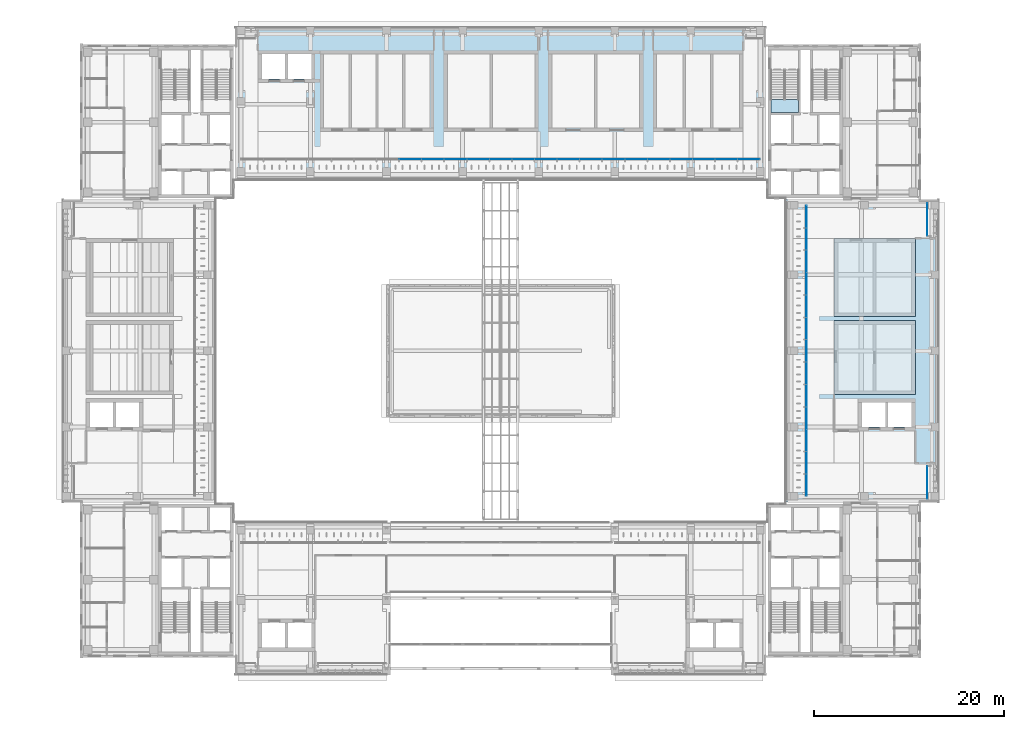
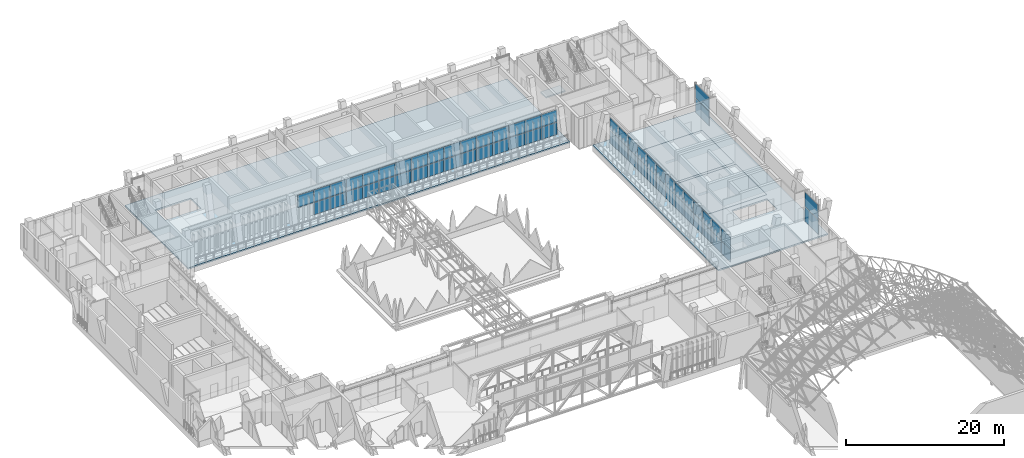
# One storey, part 93 of 141: 61 plates, 5 slabs, 5 elements without a shape of their own.
"""IFC4 building model written with IfcOpenShell, lengths in metres."""

from ifc_helpers import new_model, si_unit, direction, frame, origin, origin_2d, place, context, subcontext, project, spatial, polyline, rectangle, outline, extrude, material, layer, layer_set, type_object, element, aggregate, save


model = new_model("IFC4")

# Units and contexts
model_context = context("Model", 3, precision=1e-05, world=origin(), true_north=direction((0.0, 1.0)))
body_context = subcontext(model_context, "Body", "Model", "MODEL_VIEW")
ifc_project = project(units=[si_unit("LENGTHUNIT", "METRE"), si_unit("AREAUNIT", "SQUARE_METRE"), si_unit("VOLUMEUNIT", "CUBIC_METRE"), si_unit("PLANEANGLEUNIT", "RADIAN"), si_unit("MASSUNIT", "GRAM", prefix="KILO")], contexts=[model_context])

# Site, building, storey
site_placement = place(None, origin())
site = spatial("IfcSite", under=ifc_project, at=site_placement, CompositionType="ELEMENT")
building_placement = place(site_placement, origin())
building = spatial("IfcBuilding", under=site, at=building_placement, Name="Lantern Court Media Centre", CompositionType="ELEMENT")
storey_placement = place(building_placement, frame((0.0, 0.0, 9.60009765625)))
storey = spatial("IfcBuildingStorey", under=building, at=storey_placement, Name="L02", CompositionType="ELEMENT", Elevation=9.60009765625)

# Curtain wall, plates
ifc_material_1 = material(Name="Curtain wall bay 2400")
curtain_wall_type_1 = type_object("IfcCurtainWallType", Name="Curtain wall bay 2400", PredefinedType="NOTDEFINED", material=ifc_material_1)
curtain_wall_1_placement = place(storey_placement, origin())
curtain_wall_1 = element("IfcCurtainWall", 1, at=curtain_wall_1_placement, inside=storey, type_object=curtain_wall_type_1, Name="Curtain wall N inner L02", PredefinedType="NOTDEFINED")
ifc_material_2 = material(Name="Low-iron double glazed unit glass", Category="glass")
ifc_layer_1 = layer(ifc_material_2, 0.02392578125)
ifc_layer_set_1 = layer_set([ifc_layer_1], Name="Low-iron double glazed unit glass")
plate_type_1 = type_object("IfcPlateType", Name="Curtain wall glazing unit 24", PredefinedType="CURTAIN_PANEL", material=ifc_layer_set_1)
plate_1_placement = place(storey_placement, frame((42.50439453125, 100.14990234375, 2.0), z_axis=(0.0, 0.0, 1.0), x_axis=(1.0, 0.0, 0.0)))
plate_1 = element("IfcPlate", 2, at=plate_1_placement, type_object=plate_type_1, Name="CW2 panel 8.2", PredefinedType="CURTAIN_PANEL", context=body_context, shape_type="SweptSolid", body=[
    extrude(rectangle(XDim=2.323974609375, YDim=0.02392578125, at=origin_2d()), origin(), (0.0, 0.0, 1.0), 1.89990234375),
])
plate_2_placement = place(storey_placement, frame((44.878173828125, 100.14990234375, 0.050048828125), z_axis=(0.0, 0.0, 1.0), x_axis=(1.0, 0.0, 0.0)))
plate_2 = element("IfcPlate", 3, at=plate_2_placement, type_object=plate_type_1, Name="CW2 panel 9.1", PredefinedType="CURTAIN_PANEL", context=body_context, shape_type="SweptSolid", body=[
    extrude(rectangle(XDim=2.323974609375, YDim=0.02392578125, at=origin_2d()), origin(), (0.0, 0.0, 1.0), 1.89990234375),
])
plate_3_placement = place(storey_placement, frame((44.878173828125, 100.14990234375, 2.0), z_axis=(0.0, 0.0, 1.0), x_axis=(1.0, 0.0, 0.0)))
plate_3 = element("IfcPlate", 4, at=plate_3_placement, type_object=plate_type_1, Name="CW2 panel 9.2", PredefinedType="CURTAIN_PANEL", context=body_context, shape_type="SweptSolid", body=[
    extrude(rectangle(XDim=2.323974609375, YDim=0.02392578125, at=origin_2d()), origin(), (0.0, 0.0, 1.0), 1.89990234375),
])
plate_4_placement = place(storey_placement, frame((47.252197265625, 100.14990234375, 0.050048828125), z_axis=(0.0, 0.0, 1.0), x_axis=(1.0, 0.0, 0.0)))
plate_4 = element("IfcPlate", 5, at=plate_4_placement, type_object=plate_type_1, Name="CW2 panel 10.1", PredefinedType="CURTAIN_PANEL", context=body_context, shape_type="SweptSolid", body=[
    extrude(rectangle(XDim=2.323974609375, YDim=0.02392578125, at=origin_2d()), origin(), (0.0, 0.0, 1.0), 1.89990234375),
])
plate_5_placement = place(storey_placement, frame((47.252197265625, 100.14990234375, 2.0), z_axis=(0.0, 0.0, 1.0), x_axis=(1.0, 0.0, 0.0)))
plate_5 = element("IfcPlate", 6, at=plate_5_placement, type_object=plate_type_1, Name="CW2 panel 10.2", PredefinedType="CURTAIN_PANEL", context=body_context, shape_type="SweptSolid", body=[
    extrude(rectangle(XDim=2.323974609375, YDim=0.02392578125, at=origin_2d()), origin(), (0.0, 0.0, 1.0), 1.89990234375),
])
plate_6_placement = place(storey_placement, frame((49.6259765625, 100.14990234375, 0.050048828125), z_axis=(0.0, 0.0, 1.0), x_axis=(1.0, 0.0, 0.0)))
plate_6 = element("IfcPlate", 7, at=plate_6_placement, type_object=plate_type_1, Name="CW2 panel 11.1", PredefinedType="CURTAIN_PANEL", context=body_context, shape_type="SweptSolid", body=[
    extrude(rectangle(XDim=2.323974609375, YDim=0.02392578125, at=origin_2d()), origin(), (0.0, 0.0, 1.0), 1.89990234375),
])
plate_7_placement = place(storey_placement, frame((49.6259765625, 100.14990234375, 2.0), z_axis=(0.0, 0.0, 1.0), x_axis=(1.0, 0.0, 0.0)))
plate_7 = element("IfcPlate", 8, at=plate_7_placement, type_object=plate_type_1, Name="CW2 panel 11.2", PredefinedType="CURTAIN_PANEL", context=body_context, shape_type="SweptSolid", body=[
    extrude(rectangle(XDim=2.323974609375, YDim=0.02392578125, at=origin_2d()), origin(), (0.0, 0.0, 1.0), 1.89990234375),
])
plate_8_placement = place(storey_placement, frame((52.0, 100.14990234375, 0.050048828125), z_axis=(0.0, 0.0, 1.0), x_axis=(1.0, 0.0, 0.0)))
plate_8 = element("IfcPlate", 9, at=plate_8_placement, type_object=plate_type_1, Name="CW2 panel 12.1", PredefinedType="CURTAIN_PANEL", context=body_context, shape_type="SweptSolid", body=[
    extrude(rectangle(XDim=2.323974609375, YDim=0.02392578125, at=origin_2d()), origin(), (0.0, 0.0, 1.0), 1.89990234375),
])
plate_9_placement = place(storey_placement, frame((52.0, 100.14990234375, 2.0), z_axis=(0.0, 0.0, 1.0), x_axis=(1.0, 0.0, 0.0)))
plate_9 = element("IfcPlate", 10, at=plate_9_placement, type_object=plate_type_1, Name="CW2 panel 12.2", PredefinedType="CURTAIN_PANEL", context=body_context, shape_type="SweptSolid", body=[
    extrude(rectangle(XDim=2.323974609375, YDim=0.02392578125, at=origin_2d()), origin(), (0.0, 0.0, 1.0), 1.89990234375),
])
plate_10_placement = place(storey_placement, frame((54.3740234375, 100.14990234375, 0.050048828125), z_axis=(0.0, 0.0, 1.0), x_axis=(1.0, 0.0, 0.0)))
plate_10 = element("IfcPlate", 11, at=plate_10_placement, type_object=plate_type_1, Name="CW2 panel 13.1", PredefinedType="CURTAIN_PANEL", context=body_context, shape_type="SweptSolid", body=[
    extrude(rectangle(XDim=2.323974609375, YDim=0.02392578125, at=origin_2d()), origin(), (0.0, 0.0, 1.0), 1.89990234375),
])
plate_11_placement = place(storey_placement, frame((54.3740234375, 100.14990234375, 2.0), z_axis=(0.0, 0.0, 1.0), x_axis=(1.0, 0.0, 0.0)))
plate_11 = element("IfcPlate", 12, at=plate_11_placement, type_object=plate_type_1, Name="CW2 panel 13.2", PredefinedType="CURTAIN_PANEL", context=body_context, shape_type="SweptSolid", body=[
    extrude(rectangle(XDim=2.323974609375, YDim=0.02392578125, at=origin_2d()), origin(), (0.0, 0.0, 1.0), 1.89990234375),
])
plate_12_placement = place(storey_placement, frame((56.747802734375, 100.14990234375, 0.050048828125), z_axis=(0.0, 0.0, 1.0), x_axis=(1.0, 0.0, 0.0)))
plate_12 = element("IfcPlate", 13, at=plate_12_placement, type_object=plate_type_1, Name="CW2 panel 14.1", PredefinedType="CURTAIN_PANEL", context=body_context, shape_type="SweptSolid", body=[
    extrude(rectangle(XDim=2.323974609375, YDim=0.02392578125, at=origin_2d()), origin(), (0.0, 0.0, 1.0), 1.89990234375),
])
plate_13_placement = place(storey_placement, frame((56.747802734375, 100.14990234375, 2.0), z_axis=(0.0, 0.0, 1.0), x_axis=(1.0, 0.0, 0.0)))
plate_13 = element("IfcPlate", 14, at=plate_13_placement, type_object=plate_type_1, Name="CW2 panel 14.2", PredefinedType="CURTAIN_PANEL", context=body_context, shape_type="SweptSolid", body=[
    extrude(rectangle(XDim=2.323974609375, YDim=0.02392578125, at=origin_2d()), origin(), (0.0, 0.0, 1.0), 1.89990234375),
])
plate_14_placement = place(storey_placement, frame((59.121826171875, 100.14990234375, 0.050048828125), z_axis=(0.0, 0.0, 1.0), x_axis=(1.0, 0.0, 0.0)))
plate_14 = element("IfcPlate", 15, at=plate_14_placement, type_object=plate_type_1, Name="CW2 panel 15.1", PredefinedType="CURTAIN_PANEL", context=body_context, shape_type="SweptSolid", body=[
    extrude(rectangle(XDim=2.323974609375, YDim=0.02392578125, at=origin_2d()), origin(), (0.0, 0.0, 1.0), 1.89990234375),
])
plate_15_placement = place(storey_placement, frame((59.121826171875, 100.14990234375, 2.0), z_axis=(0.0, 0.0, 1.0), x_axis=(1.0, 0.0, 0.0)))
plate_15 = element("IfcPlate", 16, at=plate_15_placement, type_object=plate_type_1, Name="CW2 panel 15.2", PredefinedType="CURTAIN_PANEL", context=body_context, shape_type="SweptSolid", body=[
    extrude(rectangle(XDim=2.323974609375, YDim=0.02392578125, at=origin_2d()), origin(), (0.0, 0.0, 1.0), 1.89990234375),
])
plate_16_placement = place(storey_placement, frame((61.49560546875, 100.14990234375, 0.050048828125), z_axis=(0.0, 0.0, 1.0), x_axis=(1.0, 0.0, 0.0)))
plate_16 = element("IfcPlate", 17, at=plate_16_placement, type_object=plate_type_1, Name="CW2 panel 16.1", PredefinedType="CURTAIN_PANEL", context=body_context, shape_type="SweptSolid", body=[
    extrude(rectangle(XDim=2.323974609375, YDim=0.02392578125, at=origin_2d()), origin(), (0.0, 0.0, 1.0), 1.89990234375),
])
plate_17_placement = place(storey_placement, frame((61.49560546875, 100.14990234375, 2.0), z_axis=(0.0, 0.0, 1.0), x_axis=(1.0, 0.0, 0.0)))
plate_17 = element("IfcPlate", 18, at=plate_17_placement, type_object=plate_type_1, Name="CW2 panel 16.2", PredefinedType="CURTAIN_PANEL", context=body_context, shape_type="SweptSolid", body=[
    extrude(rectangle(XDim=2.323974609375, YDim=0.02392578125, at=origin_2d()), origin(), (0.0, 0.0, 1.0), 1.89990234375),
])
plate_18_placement = place(storey_placement, frame((63.86962890625, 100.14990234375, 0.050048828125), z_axis=(0.0, 0.0, 1.0), x_axis=(1.0, 0.0, 0.0)))
plate_18 = element("IfcPlate", 19, at=plate_18_placement, type_object=plate_type_1, Name="CW2 panel 17.1", PredefinedType="CURTAIN_PANEL", context=body_context, shape_type="SweptSolid", body=[
    extrude(rectangle(XDim=2.323974609375, YDim=0.02392578125, at=origin_2d()), origin(), (0.0, 0.0, 1.0), 1.89990234375),
])
plate_19_placement = place(storey_placement, frame((63.86962890625, 100.14990234375, 2.0), z_axis=(0.0, 0.0, 1.0), x_axis=(1.0, 0.0, 0.0)))
plate_19 = element("IfcPlate", 20, at=plate_19_placement, type_object=plate_type_1, Name="CW2 panel 17.2", PredefinedType="CURTAIN_PANEL", context=body_context, shape_type="SweptSolid", body=[
    extrude(rectangle(XDim=2.323974609375, YDim=0.02392578125, at=origin_2d()), origin(), (0.0, 0.0, 1.0), 1.89990234375),
])
plate_20_placement = place(storey_placement, frame((66.243408203125, 100.14990234375, 0.050048828125), z_axis=(0.0, 0.0, 1.0), x_axis=(1.0, 0.0, 0.0)))
plate_20 = element("IfcPlate", 21, at=plate_20_placement, type_object=plate_type_1, Name="CW2 panel 18.1", PredefinedType="CURTAIN_PANEL", context=body_context, shape_type="SweptSolid", body=[
    extrude(rectangle(XDim=2.323974609375, YDim=0.02392578125, at=origin_2d()), origin(), (0.0, 0.0, 1.0), 1.89990234375),
])
plate_21_placement = place(storey_placement, frame((66.243408203125, 100.14990234375, 2.0), z_axis=(0.0, 0.0, 1.0), x_axis=(1.0, 0.0, 0.0)))
plate_21 = element("IfcPlate", 22, at=plate_21_placement, type_object=plate_type_1, Name="CW2 panel 18.2", PredefinedType="CURTAIN_PANEL", context=body_context, shape_type="SweptSolid", body=[
    extrude(rectangle(XDim=2.323974609375, YDim=0.02392578125, at=origin_2d()), origin(), (0.0, 0.0, 1.0), 1.89990234375),
])
plate_22_placement = place(storey_placement, frame((68.617431640625, 100.14990234375, 0.050048828125), z_axis=(0.0, 0.0, 1.0), x_axis=(1.0, 0.0, 0.0)))
plate_22 = element("IfcPlate", 23, at=plate_22_placement, type_object=plate_type_1, Name="CW2 panel 19.1", PredefinedType="CURTAIN_PANEL", context=body_context, shape_type="SweptSolid", body=[
    extrude(rectangle(XDim=2.323974609375, YDim=0.02392578125, at=origin_2d()), origin(), (0.0, 0.0, 1.0), 1.89990234375),
])
plate_23_placement = place(storey_placement, frame((68.617431640625, 100.14990234375, 2.0), z_axis=(0.0, 0.0, 1.0), x_axis=(1.0, 0.0, 0.0)))
plate_23 = element("IfcPlate", 24, at=plate_23_placement, type_object=plate_type_1, Name="CW2 panel 19.2", PredefinedType="CURTAIN_PANEL", context=body_context, shape_type="SweptSolid", body=[
    extrude(rectangle(XDim=2.323974609375, YDim=0.02392578125, at=origin_2d()), origin(), (0.0, 0.0, 1.0), 1.89990234375),
])
plate_24_placement = place(storey_placement, frame((70.9912109375, 100.14990234375, 0.050048828125), z_axis=(0.0, 0.0, 1.0), x_axis=(1.0, 0.0, 0.0)))
plate_24 = element("IfcPlate", 25, at=plate_24_placement, type_object=plate_type_1, Name="CW2 panel 20.1", PredefinedType="CURTAIN_PANEL", context=body_context, shape_type="SweptSolid", body=[
    extrude(rectangle(XDim=2.323974609375, YDim=0.02392578125, at=origin_2d()), origin(), (0.0, 0.0, 1.0), 1.89990234375),
])
plate_25_placement = place(storey_placement, frame((70.9912109375, 100.14990234375, 2.0), z_axis=(0.0, 0.0, 1.0), x_axis=(1.0, 0.0, 0.0)))
plate_25 = element("IfcPlate", 26, at=plate_25_placement, type_object=plate_type_1, Name="CW2 panel 20.2", PredefinedType="CURTAIN_PANEL", context=body_context, shape_type="SweptSolid", body=[
    extrude(rectangle(XDim=2.323974609375, YDim=0.02392578125, at=origin_2d()), origin(), (0.0, 0.0, 1.0), 1.89990234375),
])
plate_26_placement = place(storey_placement, frame((73.365234375, 100.14990234375, 0.050048828125), z_axis=(0.0, 0.0, 1.0), x_axis=(1.0, 0.0, 0.0)))
plate_26 = element("IfcPlate", 27, at=plate_26_placement, type_object=plate_type_1, Name="CW2 panel 21.1", PredefinedType="CURTAIN_PANEL", context=body_context, shape_type="SweptSolid", body=[
    extrude(rectangle(XDim=2.323974609375, YDim=0.02392578125, at=origin_2d()), origin(), (0.0, 0.0, 1.0), 1.89990234375),
])
plate_27_placement = place(storey_placement, frame((73.365234375, 100.14990234375, 2.0), z_axis=(0.0, 0.0, 1.0), x_axis=(1.0, 0.0, 0.0)))
plate_27 = element("IfcPlate", 28, at=plate_27_placement, type_object=plate_type_1, Name="CW2 panel 21.2", PredefinedType="CURTAIN_PANEL", context=body_context, shape_type="SweptSolid", body=[
    extrude(rectangle(XDim=2.323974609375, YDim=0.02392578125, at=origin_2d()), origin(), (0.0, 0.0, 1.0), 1.89990234375),
])
plate_28_placement = place(storey_placement, frame((75.739013671875, 100.14990234375, 0.050048828125), z_axis=(0.0, 0.0, 1.0), x_axis=(1.0, 0.0, 0.0)))
plate_28 = element("IfcPlate", 29, at=plate_28_placement, type_object=plate_type_1, Name="CW2 panel 22.1", PredefinedType="CURTAIN_PANEL", context=body_context, shape_type="SweptSolid", body=[
    extrude(rectangle(XDim=2.323974609375, YDim=0.02392578125, at=origin_2d()), origin(), (0.0, 0.0, 1.0), 1.89990234375),
])
plate_29_placement = place(storey_placement, frame((75.739013671875, 100.14990234375, 2.0), z_axis=(0.0, 0.0, 1.0), x_axis=(1.0, 0.0, 0.0)))
plate_29 = element("IfcPlate", 30, at=plate_29_placement, type_object=plate_type_1, Name="CW2 panel 22.2", PredefinedType="CURTAIN_PANEL", context=body_context, shape_type="SweptSolid", body=[
    extrude(rectangle(XDim=2.323974609375, YDim=0.02392578125, at=origin_2d()), origin(), (0.0, 0.0, 1.0), 1.89990234375),
])
plate_30_placement = place(storey_placement, frame((78.1005859375, 100.14990234375, 0.050048828125), z_axis=(0.0, 0.0, 1.0), x_axis=(1.0, 0.0, 0.0)))
plate_30 = element("IfcPlate", 31, at=plate_30_placement, type_object=plate_type_1, Name="CW2 panel 23.1", PredefinedType="CURTAIN_PANEL", context=body_context, shape_type="SweptSolid", body=[
    extrude(rectangle(XDim=2.298828125, YDim=0.02392578125, at=origin_2d()), origin(), (0.0, 0.0, 1.0), 1.89990234375),
])
plate_31_placement = place(storey_placement, frame((78.1005859375, 100.14990234375, 2.0), z_axis=(0.0, 0.0, 1.0), x_axis=(1.0, 0.0, 0.0)))
plate_31 = element("IfcPlate", 32, at=plate_31_placement, type_object=plate_type_1, Name="CW2 panel 23.2", PredefinedType="CURTAIN_PANEL", context=body_context, shape_type="SweptSolid", body=[
    extrude(rectangle(XDim=2.298828125, YDim=0.02392578125, at=origin_2d()), origin(), (0.0, 0.0, 1.0), 1.89990234375),
])
aggregate(curtain_wall_1, [plate_1, plate_2, plate_3, plate_4, plate_5, plate_6, plate_7, plate_8, plate_9, plate_10, plate_11, plate_12, plate_13, plate_14, plate_15, plate_16, plate_17, plate_18, plate_19, plate_20, plate_21, plate_22, plate_23, plate_24, plate_25, plate_26, plate_27, plate_28, plate_29, plate_30, plate_31])

curtain_wall_2_placement = place(storey_placement, origin())
curtain_wall_2 = element("IfcCurtainWall", 33, at=curtain_wall_2_placement, inside=storey, type_object=curtain_wall_type_1, Name="Curtain wall E inner L02", PredefinedType="NOTDEFINED")
plate_32_placement = place(storey_placement, frame((84.14990234375, 65.889404296875, 0.050048828125), z_axis=(0.0, 0.0, 1.0), x_axis=(0.0, 1.0, 0.0)))
plate_32 = element("IfcPlate", 34, at=plate_32_placement, type_object=plate_type_1, Name="CW2 panel 1.1", PredefinedType="CURTAIN_PANEL", context=body_context, shape_type="SweptSolid", body=[
    extrude(rectangle(XDim=2.27880859375, YDim=0.02392578125, at=origin_2d()), origin(), (0.0, 0.0, 1.0), 1.89990234375),
])
plate_33_placement = place(storey_placement, frame((84.14990234375, 65.889404296875, 2.0), z_axis=(0.0, 0.0, 1.0), x_axis=(0.0, 1.0, 0.0)))
plate_33 = element("IfcPlate", 35, at=plate_33_placement, type_object=plate_type_1, Name="CW2 panel 1.2", PredefinedType="CURTAIN_PANEL", context=body_context, shape_type="SweptSolid", body=[
    extrude(rectangle(XDim=2.27880859375, YDim=0.02392578125, at=origin_2d()), origin(), (0.0, 0.0, 1.0), 1.89990234375),
])
plate_34_placement = place(storey_placement, frame((84.14990234375, 68.230712890625, 0.050048828125), z_axis=(0.0, 0.0, 1.0), x_axis=(0.0, 1.0, 0.0)))
plate_34 = element("IfcPlate", 36, at=plate_34_placement, type_object=plate_type_1, Name="CW2 panel 2.1", PredefinedType="CURTAIN_PANEL", context=body_context, shape_type="SweptSolid", body=[
    extrude(rectangle(XDim=2.303955078125, YDim=0.02392578125, at=origin_2d()), origin(), (0.0, 0.0, 1.0), 1.89990234375),
])
plate_35_placement = place(storey_placement, frame((84.14990234375, 68.230712890625, 2.0), z_axis=(0.0, 0.0, 1.0), x_axis=(0.0, 1.0, 0.0)))
plate_35 = element("IfcPlate", 37, at=plate_35_placement, type_object=plate_type_1, Name="CW2 panel 2.2", PredefinedType="CURTAIN_PANEL", context=body_context, shape_type="SweptSolid", body=[
    extrude(rectangle(XDim=2.303955078125, YDim=0.02392578125, at=origin_2d()), origin(), (0.0, 0.0, 1.0), 1.89990234375),
])
plate_36_placement = place(storey_placement, frame((84.14990234375, 70.584716796875, 0.050048828125), z_axis=(0.0, 0.0, 1.0), x_axis=(0.0, 1.0, 0.0)))
plate_36 = element("IfcPlate", 38, at=plate_36_placement, type_object=plate_type_1, Name="CW2 panel 3.1", PredefinedType="CURTAIN_PANEL", context=body_context, shape_type="SweptSolid", body=[
    extrude(rectangle(XDim=2.303955078125, YDim=0.02392578125, at=origin_2d()), origin(), (0.0, 0.0, 1.0), 1.89990234375),
])
plate_37_placement = place(storey_placement, frame((84.14990234375, 70.584716796875, 2.0), z_axis=(0.0, 0.0, 1.0), x_axis=(0.0, 1.0, 0.0)))
plate_37 = element("IfcPlate", 39, at=plate_37_placement, type_object=plate_type_1, Name="CW2 panel 3.2", PredefinedType="CURTAIN_PANEL", context=body_context, shape_type="SweptSolid", body=[
    extrude(rectangle(XDim=2.303955078125, YDim=0.02392578125, at=origin_2d()), origin(), (0.0, 0.0, 1.0), 1.89990234375),
])
plate_38_placement = place(storey_placement, frame((84.14990234375, 72.9384765625, 0.050048828125), z_axis=(0.0, 0.0, 1.0), x_axis=(0.0, 1.0, 0.0)))
plate_38 = element("IfcPlate", 40, at=plate_38_placement, type_object=plate_type_1, Name="CW2 panel 4.1", PredefinedType="CURTAIN_PANEL", context=body_context, shape_type="SweptSolid", body=[
    extrude(rectangle(XDim=2.303955078125, YDim=0.02392578125, at=origin_2d()), origin(), (0.0, 0.0, 1.0), 1.89990234375),
])
plate_39_placement = place(storey_placement, frame((84.14990234375, 72.9384765625, 2.0), z_axis=(0.0, 0.0, 1.0), x_axis=(0.0, 1.0, 0.0)))
plate_39 = element("IfcPlate", 41, at=plate_39_placement, type_object=plate_type_1, Name="CW2 panel 4.2", PredefinedType="CURTAIN_PANEL", context=body_context, shape_type="SweptSolid", body=[
    extrude(rectangle(XDim=2.303955078125, YDim=0.02392578125, at=origin_2d()), origin(), (0.0, 0.0, 1.0), 1.89990234375),
])
plate_40_placement = place(storey_placement, frame((84.14990234375, 75.292236328125, 0.050048828125), z_axis=(0.0, 0.0, 1.0), x_axis=(0.0, 1.0, 0.0)))
plate_40 = element("IfcPlate", 42, at=plate_40_placement, type_object=plate_type_1, Name="CW2 panel 5.1", PredefinedType="CURTAIN_PANEL", context=body_context, shape_type="SweptSolid", body=[
    extrude(rectangle(XDim=2.303955078125, YDim=0.02392578125, at=origin_2d()), origin(), (0.0, 0.0, 1.0), 1.89990234375),
])
plate_41_placement = place(storey_placement, frame((84.14990234375, 75.292236328125, 2.0), z_axis=(0.0, 0.0, 1.0), x_axis=(0.0, 1.0, 0.0)))
plate_41 = element("IfcPlate", 43, at=plate_41_placement, type_object=plate_type_1, Name="CW2 panel 5.2", PredefinedType="CURTAIN_PANEL", context=body_context, shape_type="SweptSolid", body=[
    extrude(rectangle(XDim=2.303955078125, YDim=0.02392578125, at=origin_2d()), origin(), (0.0, 0.0, 1.0), 1.89990234375),
])
plate_42_placement = place(storey_placement, frame((84.14990234375, 77.646240234375, 0.050048828125), z_axis=(0.0, 0.0, 1.0), x_axis=(0.0, 1.0, 0.0)))
plate_42 = element("IfcPlate", 44, at=plate_42_placement, type_object=plate_type_1, Name="CW2 panel 6.1", PredefinedType="CURTAIN_PANEL", context=body_context, shape_type="SweptSolid", body=[
    extrude(rectangle(XDim=2.303955078125, YDim=0.02392578125, at=origin_2d()), origin(), (0.0, 0.0, 1.0), 1.89990234375),
])
plate_43_placement = place(storey_placement, frame((84.14990234375, 77.646240234375, 2.0), z_axis=(0.0, 0.0, 1.0), x_axis=(0.0, 1.0, 0.0)))
plate_43 = element("IfcPlate", 45, at=plate_43_placement, type_object=plate_type_1, Name="CW2 panel 6.2", PredefinedType="CURTAIN_PANEL", context=body_context, shape_type="SweptSolid", body=[
    extrude(rectangle(XDim=2.303955078125, YDim=0.02392578125, at=origin_2d()), origin(), (0.0, 0.0, 1.0), 1.89990234375),
])
plate_44_placement = place(storey_placement, frame((84.14990234375, 80.0, 0.050048828125), z_axis=(0.0, 0.0, 1.0), x_axis=(0.0, 1.0, 0.0)))
plate_44 = element("IfcPlate", 46, at=plate_44_placement, type_object=plate_type_1, Name="CW2 panel 7.1", PredefinedType="CURTAIN_PANEL", context=body_context, shape_type="SweptSolid", body=[
    extrude(rectangle(XDim=2.303955078125, YDim=0.02392578125, at=origin_2d()), origin(), (0.0, 0.0, 1.0), 1.89990234375),
])
plate_45_placement = place(storey_placement, frame((84.14990234375, 80.0, 2.0), z_axis=(0.0, 0.0, 1.0), x_axis=(0.0, 1.0, 0.0)))
plate_45 = element("IfcPlate", 47, at=plate_45_placement, type_object=plate_type_1, Name="CW2 panel 7.2", PredefinedType="CURTAIN_PANEL", context=body_context, shape_type="SweptSolid", body=[
    extrude(rectangle(XDim=2.303955078125, YDim=0.02392578125, at=origin_2d()), origin(), (0.0, 0.0, 1.0), 1.89990234375),
])
plate_46_placement = place(storey_placement, frame((84.14990234375, 82.353759765625, 0.050048828125), z_axis=(0.0, 0.0, 1.0), x_axis=(0.0, 1.0, 0.0)))
plate_46 = element("IfcPlate", 48, at=plate_46_placement, type_object=plate_type_1, Name="CW2 panel 8.1", PredefinedType="CURTAIN_PANEL", context=body_context, shape_type="SweptSolid", body=[
    extrude(rectangle(XDim=2.303955078125, YDim=0.02392578125, at=origin_2d()), origin(), (0.0, 0.0, 1.0), 1.89990234375),
])
plate_47_placement = place(storey_placement, frame((84.14990234375, 82.353759765625, 2.0), z_axis=(0.0, 0.0, 1.0), x_axis=(0.0, 1.0, 0.0)))
plate_47 = element("IfcPlate", 49, at=plate_47_placement, type_object=plate_type_1, Name="CW2 panel 8.2", PredefinedType="CURTAIN_PANEL", context=body_context, shape_type="SweptSolid", body=[
    extrude(rectangle(XDim=2.303955078125, YDim=0.02392578125, at=origin_2d()), origin(), (0.0, 0.0, 1.0), 1.89990234375),
])
plate_48_placement = place(storey_placement, frame((84.14990234375, 84.707763671875, 0.050048828125), z_axis=(0.0, 0.0, 1.0), x_axis=(0.0, 1.0, 0.0)))
plate_48 = element("IfcPlate", 50, at=plate_48_placement, type_object=plate_type_1, Name="CW2 panel 9.1", PredefinedType="CURTAIN_PANEL", context=body_context, shape_type="SweptSolid", body=[
    extrude(rectangle(XDim=2.303955078125, YDim=0.02392578125, at=origin_2d()), origin(), (0.0, 0.0, 1.0), 1.89990234375),
])
plate_49_placement = place(storey_placement, frame((84.14990234375, 84.707763671875, 2.0), z_axis=(0.0, 0.0, 1.0), x_axis=(0.0, 1.0, 0.0)))
plate_49 = element("IfcPlate", 51, at=plate_49_placement, type_object=plate_type_1, Name="CW2 panel 9.2", PredefinedType="CURTAIN_PANEL", context=body_context, shape_type="SweptSolid", body=[
    extrude(rectangle(XDim=2.303955078125, YDim=0.02392578125, at=origin_2d()), origin(), (0.0, 0.0, 1.0), 1.89990234375),
])
plate_50_placement = place(storey_placement, frame((84.14990234375, 87.0615234375, 0.050048828125), z_axis=(0.0, 0.0, 1.0), x_axis=(0.0, 1.0, 0.0)))
plate_50 = element("IfcPlate", 52, at=plate_50_placement, type_object=plate_type_1, Name="CW2 panel 10.1", PredefinedType="CURTAIN_PANEL", context=body_context, shape_type="SweptSolid", body=[
    extrude(rectangle(XDim=2.303955078125, YDim=0.02392578125, at=origin_2d()), origin(), (0.0, 0.0, 1.0), 1.89990234375),
])
plate_51_placement = place(storey_placement, frame((84.14990234375, 87.0615234375, 2.0), z_axis=(0.0, 0.0, 1.0), x_axis=(0.0, 1.0, 0.0)))
plate_51 = element("IfcPlate", 53, at=plate_51_placement, type_object=plate_type_1, Name="CW2 panel 10.2", PredefinedType="CURTAIN_PANEL", context=body_context, shape_type="SweptSolid", body=[
    extrude(rectangle(XDim=2.303955078125, YDim=0.02392578125, at=origin_2d()), origin(), (0.0, 0.0, 1.0), 1.89990234375),
])
plate_52_placement = place(storey_placement, frame((84.14990234375, 89.415283203125, 0.050048828125), z_axis=(0.0, 0.0, 1.0), x_axis=(0.0, 1.0, 0.0)))
plate_52 = element("IfcPlate", 54, at=plate_52_placement, type_object=plate_type_1, Name="CW2 panel 11.1", PredefinedType="CURTAIN_PANEL", context=body_context, shape_type="SweptSolid", body=[
    extrude(rectangle(XDim=2.303955078125, YDim=0.02392578125, at=origin_2d()), origin(), (0.0, 0.0, 1.0), 1.89990234375),
])
plate_53_placement = place(storey_placement, frame((84.14990234375, 89.415283203125, 2.0), z_axis=(0.0, 0.0, 1.0), x_axis=(0.0, 1.0, 0.0)))
plate_53 = element("IfcPlate", 55, at=plate_53_placement, type_object=plate_type_1, Name="CW2 panel 11.2", PredefinedType="CURTAIN_PANEL", context=body_context, shape_type="SweptSolid", body=[
    extrude(rectangle(XDim=2.303955078125, YDim=0.02392578125, at=origin_2d()), origin(), (0.0, 0.0, 1.0), 1.89990234375),
])
plate_54_placement = place(storey_placement, frame((84.14990234375, 91.769287109375, 0.050048828125), z_axis=(0.0, 0.0, 1.0), x_axis=(0.0, 1.0, 0.0)))
plate_54 = element("IfcPlate", 56, at=plate_54_placement, type_object=plate_type_1, Name="CW2 panel 12.1", PredefinedType="CURTAIN_PANEL", context=body_context, shape_type="SweptSolid", body=[
    extrude(rectangle(XDim=2.303955078125, YDim=0.02392578125, at=origin_2d()), origin(), (0.0, 0.0, 1.0), 1.89990234375),
])
plate_55_placement = place(storey_placement, frame((84.14990234375, 91.769287109375, 2.0), z_axis=(0.0, 0.0, 1.0), x_axis=(0.0, 1.0, 0.0)))
plate_55 = element("IfcPlate", 57, at=plate_55_placement, type_object=plate_type_1, Name="CW2 panel 12.2", PredefinedType="CURTAIN_PANEL", context=body_context, shape_type="SweptSolid", body=[
    extrude(rectangle(XDim=2.303955078125, YDim=0.02392578125, at=origin_2d()), origin(), (0.0, 0.0, 1.0), 1.89990234375),
])
plate_56_placement = place(storey_placement, frame((84.14990234375, 94.110595703125, 0.050048828125), z_axis=(0.0, 0.0, 1.0), x_axis=(0.0, 1.0, 0.0)))
plate_56 = element("IfcPlate", 58, at=plate_56_placement, type_object=plate_type_1, Name="CW2 panel 13.1", PredefinedType="CURTAIN_PANEL", context=body_context, shape_type="SweptSolid", body=[
    extrude(rectangle(XDim=2.27880859375, YDim=0.02392578125, at=origin_2d()), origin(), (0.0, 0.0, 1.0), 1.89990234375),
])
plate_57_placement = place(storey_placement, frame((84.14990234375, 94.110595703125, 2.0), z_axis=(0.0, 0.0, 1.0), x_axis=(0.0, 1.0, 0.0)))
plate_57 = element("IfcPlate", 59, at=plate_57_placement, type_object=plate_type_1, Name="CW2 panel 13.2", PredefinedType="CURTAIN_PANEL", context=body_context, shape_type="SweptSolid", body=[
    extrude(rectangle(XDim=2.27880859375, YDim=0.02392578125, at=origin_2d()), origin(), (0.0, 0.0, 1.0), 1.89990234375),
])
aggregate(curtain_wall_2, [plate_32, plate_33, plate_34, plate_35, plate_36, plate_37, plate_38, plate_39, plate_40, plate_41, plate_42, plate_43, plate_44, plate_45, plate_46, plate_47, plate_48, plate_49, plate_50, plate_51, plate_52, plate_53, plate_54, plate_55, plate_56, plate_57])

ifc_material_3 = material(Name="Curtain wall bay 3000")
curtain_wall_type_2 = type_object("IfcCurtainWallType", Name="Curtain wall bay 3000", PredefinedType="NOTDEFINED", material=ifc_material_3)
curtain_wall_3_placement = place(storey_placement, origin())
curtain_wall_3 = element("IfcCurtainWall", 60, at=curtain_wall_3_placement, inside=storey, type_object=curtain_wall_type_2, Name="Curtain wall E outer L02", PredefinedType="NOTDEFINED")
ifc_layer_2 = layer(ifc_material_2, 0.028076171875)
ifc_layer_set_2 = layer_set([ifc_layer_2], Name="Low-iron double glazed unit glass")
plate_type_2 = type_object("IfcPlateType", Name="Curtain wall glazing unit 28", PredefinedType="CURTAIN_PANEL", material=ifc_layer_set_2)
plate_58_placement = place(storey_placement, frame((96.85009765625, 66.18505859375, 0.06005859375), z_axis=(0.0, 0.0, 1.0), x_axis=(0.0, 1.0, 0.0)))
plate_58 = element("IfcPlate", 61, at=plate_58_placement, type_object=plate_type_2, Name="CW1 panel 1.1", PredefinedType="CURTAIN_PANEL", context=body_context, shape_type="SweptSolid", body=[
    extrude(rectangle(XDim=3.409912109375, YDim=0.028076171875, at=origin_2d()), origin(), (0.0, 0.0, 1.0), 2.199951171875),
])
plate_59_placement = place(storey_placement, frame((96.85009765625, 66.18505859375, 2.31982421875), z_axis=(0.0, 0.0, 1.0), x_axis=(0.0, 1.0, 0.0)))
plate_59 = element("IfcPlate", 62, at=plate_59_placement, type_object=plate_type_2, Name="CW1 panel 1.2", PredefinedType="CURTAIN_PANEL", context=body_context, shape_type="SweptSolid", body=[
    extrude(rectangle(XDim=3.409912109375, YDim=0.028076171875, at=origin_2d()), origin(), (0.0, 0.0, 1.0), 2.199951171875),
])
aggregate(curtain_wall_3, [plate_58, plate_59])

curtain_wall_4_placement = place(storey_placement, origin())
curtain_wall_4 = element("IfcCurtainWall", 63, at=curtain_wall_4_placement, inside=storey, type_object=curtain_wall_type_2, Name="Curtain wall E outer L02", PredefinedType="NOTDEFINED")
plate_60_placement = place(storey_placement, frame((96.85009765625, 93.81494140625, 0.06005859375), z_axis=(0.0, 0.0, 1.0), x_axis=(0.0, 1.0, 0.0)))
plate_60 = element("IfcPlate", 64, at=plate_60_placement, type_object=plate_type_2, Name="CW1 panel 1.1", PredefinedType="CURTAIN_PANEL", context=body_context, shape_type="SweptSolid", body=[
    extrude(rectangle(XDim=3.409912109375, YDim=0.028076171875, at=origin_2d()), origin(), (0.0, 0.0, 1.0), 2.199951171875),
])
plate_61_placement = place(storey_placement, frame((96.85009765625, 93.81494140625, 2.31982421875), z_axis=(0.0, 0.0, 1.0), x_axis=(0.0, 1.0, 0.0)))
plate_61 = element("IfcPlate", 65, at=plate_61_placement, type_object=plate_type_2, Name="CW1 panel 1.2", PredefinedType="CURTAIN_PANEL", context=body_context, shape_type="SweptSolid", body=[
    extrude(rectangle(XDim=3.409912109375, YDim=0.028076171875, at=origin_2d()), origin(), (0.0, 0.0, 1.0), 2.199951171875),
])
aggregate(curtain_wall_4, [plate_60, plate_61])

# Slabs
ifc_material_4 = material(Name="Concrete C35", Category="concrete")
ifc_layer_3 = layer(ifc_material_4, 0.219970703125)
ifc_layer_set_3 = layer_set([ifc_layer_3], Name="Concrete C35")
slab_type_1 = type_object("IfcSlabType", Name="RC FLOOR SLAB 220", PredefinedType="FLOOR", material=ifc_layer_set_3)
slab_1_placement = place(storey_placement, frame((0.0, 0.0, -0.22021484375)))
element("IfcSlab", 66, at=slab_1_placement, inside=storey, type_object=slab_type_1, Name="SL-N-L02", PredefinedType="FLOOR", context=body_context, shape_type="SweptSolid", body=[
    extrude(outline(polyline([(24.10009765625, 98.0), (24.10009765625, 114.0), (79.89990234375, 114.0), (79.89990234375, 98.0), (24.10009765625, 98.0)]), holes=[polyline([(32.10009765625, 111.199951171875), (26.89990234375, 111.199951171875), (26.89990234375, 108.60009765625), (32.10009765625, 108.60009765625), (32.10009765625, 111.199951171875)])]), origin(), (0.0, 0.0, 1.0), 0.22021484375),
])
slab_2_placement = place(storey_placement, frame((0.0, 0.0, -0.22021484375)))
element("IfcSlab", 67, at=slab_2_placement, inside=storey, type_object=slab_type_1, Name="SL-E-L02", PredefinedType="FLOOR", context=body_context, shape_type="SweptSolid", body=[
    extrude(outline(polyline([(87.050048828125, 64.10009765625), (82.0, 64.10009765625), (82.0, 95.89990234375), (87.050048828125, 95.89990234375), (95.60009765625, 95.89990234375), (98.0, 95.89990234375), (98.0, 64.10009765625), (95.60009765625, 64.10009765625), (87.050048828125, 64.10009765625)]), holes=[polyline([(87.050048828125, 83.60009765625), (95.60009765625, 83.60009765625), (95.60009765625, 91.800048828125), (87.050048828125, 91.800048828125), (87.050048828125, 83.60009765625)]), polyline([(87.050048828125, 75.39990234375), (95.60009765625, 75.39990234375), (95.60009765625, 83.199951171875), (87.050048828125, 83.199951171875), (87.050048828125, 75.39990234375)]), polyline([(95.199951171875, 74.60009765625), (90.0, 74.60009765625), (90.0, 72.0), (95.199951171875, 72.0), (95.199951171875, 74.60009765625)])]), origin(), (0.0, 0.0, 1.0), 0.22021484375),
])
ifc_layer_4 = layer(ifc_material_4, 0.419921875)
ifc_layer_set_4 = layer_set([ifc_layer_4], Name="Concrete C35")
slab_type_2 = type_object("IfcSlabType", Name="RC FLOOR SLAB 420", PredefinedType="FLOOR", material=ifc_layer_set_4)
slab_3_placement = place(storey_placement, frame((0.0, 0.0, -0.420166015625)))
element("IfcSlab", 68, at=slab_3_placement, inside=storey, type_object=slab_type_2, Name="SL-E-L02-D1", PredefinedType="FLOOR", context=body_context, shape_type="SweptSolid", body=[
    extrude(outline(polyline([(95.60009765625, 75.39990234375), (95.60009765625, 83.199951171875), (87.050048828125, 83.199951171875), (87.050048828125, 75.39990234375), (95.60009765625, 75.39990234375)])), origin(), (0.0, 0.0, 1.0), 0.420166015625),
])
slab_4_placement = place(storey_placement, frame((0.0, 0.0, -0.420166015625)))
element("IfcSlab", 69, at=slab_4_placement, inside=storey, type_object=slab_type_2, Name="SL-E-L02-D2", PredefinedType="FLOOR", context=body_context, shape_type="SweptSolid", body=[
    extrude(outline(polyline([(95.60009765625, 83.60009765625), (95.60009765625, 91.800048828125), (87.050048828125, 91.800048828125), (87.050048828125, 83.60009765625), (95.60009765625, 83.60009765625)])), origin(), (0.0, 0.0, 1.0), 0.420166015625),
])

# Stair, slab
ifc_material_5 = material(Name="Concrete C40", Category="concrete")
stair_type = type_object("IfcStairType", Name="Exit stair 1350", PredefinedType="HALF_TURN_STAIR", material=ifc_material_5)
stair_placement = place(storey_placement, origin())
stair = element("IfcStair", 70, at=stair_placement, inside=storey, type_object=stair_type, Name="L02 NE exit stair B", PredefinedType="HALF_TURN_STAIR")
ifc_layer_5 = layer(ifc_material_5, 0.199951171875)
ifc_layer_set_5 = layer_set([ifc_layer_5], Name="Concrete C40")
slab_type_3 = type_object("IfcSlabType", Name="Stair landing RC 200", PredefinedType="LANDING", material=ifc_layer_set_5)
slab_5_placement = place(storey_placement, frame((0.0, 0.0, 2.199951171875)))
slab_5 = element("IfcSlab", 71, at=slab_5_placement, type_object=slab_type_3, Name="ST-NEB landing 1", PredefinedType="LANDING", context=body_context, shape_type="SweptSolid", body=[
    extrude(outline(polyline([(80.449951171875, 106.429931640625), (80.449951171875, 105.050048828125), (83.300048828125, 105.050048828125), (83.300048828125, 106.429931640625), (80.449951171875, 106.429931640625)])), origin(), (0.0, 0.0, 1.0), 0.199951171875),
])
aggregate(stair, [slab_5])

save(model, "model.ifc")
